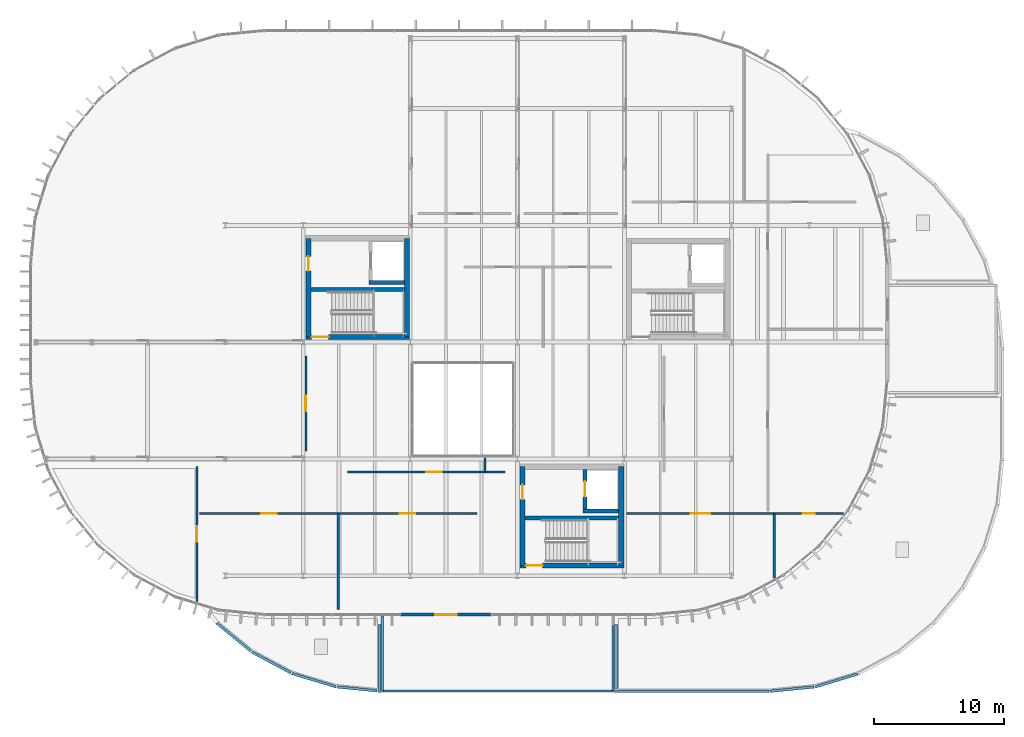
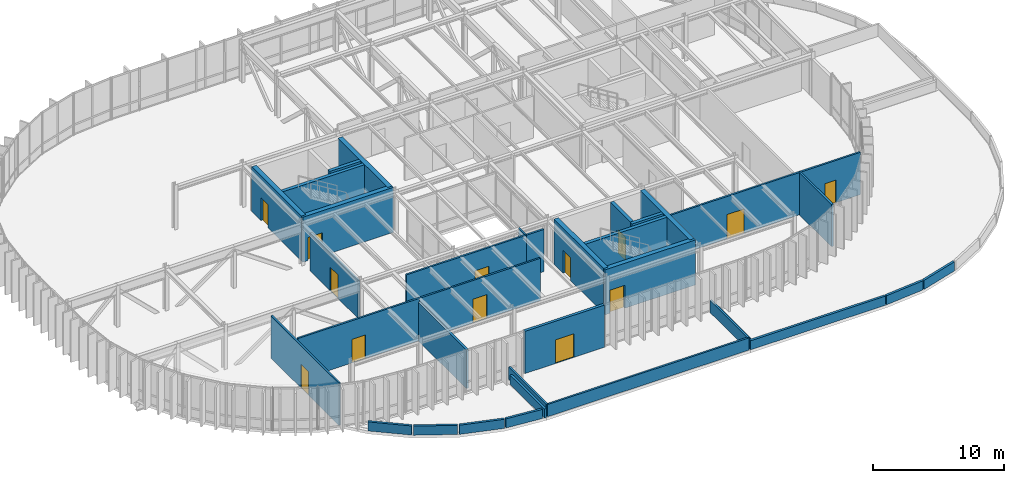
# One storey, part 22 of 29: 35 walls, 13 doors, 13 openings.
"""IFC4 building model written with IfcOpenShell, lengths in metres."""

from ifc_helpers import new_model, si_unit, direction, frame, frame_2d, origin, place, context, subcontext, project, spatial, rectangle, extrude, material, layer, layer_set, type_object, element, fill, save


model = new_model("IFC4")

# Units and contexts
model_context = context("Model", 3, precision=1e-05, world=origin(), true_north=direction((0.0, 1.0)))
body_context = subcontext(model_context, "Body", "Model", "MODEL_VIEW")
ifc_project = project(units=[si_unit("LENGTHUNIT", "METRE"), si_unit("AREAUNIT", "SQUARE_METRE"), si_unit("VOLUMEUNIT", "CUBIC_METRE"), si_unit("PLANEANGLEUNIT", "RADIAN"), si_unit("MASSUNIT", "GRAM", prefix="KILO")], contexts=[model_context])

# Site, building, storey
site_placement = place(None, origin())
site = spatial("IfcSite", under=ifc_project, at=site_placement, CompositionType="ELEMENT")
building_placement = place(site_placement, origin())
building = spatial("IfcBuilding", under=site, at=building_placement, Name="Montealbar Specialist Clinic", CompositionType="ELEMENT")
storey_placement = place(building_placement, frame((0.0, 0.0, 22.199951171875)))
storey = spatial("IfcBuildingStorey", under=building, at=storey_placement, Name="L05", CompositionType="ELEMENT", Elevation=22.199951171875)

# Walls
ifc_material_1 = material(Name="Concrete C35/45", Category="concrete")
ifc_layer_1 = layer(ifc_material_1, 0.300048828125, Name="Concrete C35/45", Category="concrete")
ifc_layer_set_1 = layer_set([ifc_layer_1], Name="Concrete C35/45")
wall_type_1 = type_object("IfcWallType", Name="WL-CORE-300", PredefinedType="SHEAR", material=ifc_layer_set_1)
wall_1_placement = place(storey_placement, frame((66.60009765625, 31.050048828125, 0.0), z_axis=(0.0, 0.0, 1.0), x_axis=(1.0, 0.0, 0.0)))
element("IfcWall", 1, at=wall_1_placement, inside=storey, type_object=wall_type_1, Name="Core C3 Stairwell Wall L05", PredefinedType="SHEAR", context=body_context, shape_type="SweptSolid", body=[
    extrude(rectangle(XDim=7.199951171875, YDim=0.300048828125, at=frame_2d((3.60009765625, 0.0))), origin(), (0.0, 0.0, 1.0), 4.199951171875),
])
wall_2_placement = place(storey_placement, frame((71.050048828125, 31.60009765625, 0.0), z_axis=(0.0, 0.0, 1.0), x_axis=(1.0, 0.0, 0.0)))
element("IfcWall", 2, at=wall_2_placement, inside=storey, type_object=wall_type_1, Name="Lift FL-01 Shaft Wall L05 LS", PredefinedType="SHEAR", context=body_context, shape_type="SweptSolid", body=[
    extrude(rectangle(XDim=2.75, YDim=0.300048828125, at=frame_2d((1.375, 0.0))), origin(), (0.0, 0.0, 1.0), 4.199951171875),
])
wall_3_placement = place(storey_placement, frame((83.10009765625, 13.449951171875, 0.0), z_axis=(0.0, 0.0, 1.0), x_axis=(1.0, 0.0, 0.0)))
element("IfcWall", 3, at=wall_3_placement, inside=storey, type_object=wall_type_1, Name="Core C4 Stairwell Wall L05", PredefinedType="SHEAR", context=body_context, shape_type="SweptSolid", body=[
    extrude(rectangle(XDim=7.199951171875, YDim=0.300048828125, at=frame_2d((3.60009765625, 0.0))), origin(), (0.0, 0.0, 1.0), 4.199951171875),
])
wall_4_placement = place(storey_placement, frame((87.550048828125, 14.0, 0.0), z_axis=(0.0, 0.0, 1.0), x_axis=(1.0, 0.0, 0.0)))
element("IfcWall", 4, at=wall_4_placement, inside=storey, type_object=wall_type_1, Name="Lift FL-02 Shaft Wall L05 LS", PredefinedType="SHEAR", context=body_context, shape_type="SweptSolid", body=[
    extrude(rectangle(XDim=2.75, YDim=0.300048828125, at=frame_2d((1.375, 0.0))), origin(), (0.0, 0.0, 1.0), 4.199951171875),
])

# Wall, opening, door
wall_5_placement = place(storey_placement, frame((87.699951171875, 14.14990234375, 0.0), z_axis=(0.0, 0.0, 1.0), x_axis=(0.0, 1.0, 0.0)))
wall_5 = element("IfcWall", 5, at=wall_5_placement, inside=storey, type_object=wall_type_1, Name="Lift FL-02 Shaft Wall L05 LW", PredefinedType="SHEAR", context=body_context, shape_type="SweptSolid", body=[
    extrude(rectangle(XDim=3.050048828125, YDim=0.300048828125, at=frame_2d((1.52490234375, 0.0))), origin(), (0.0, 0.0, 1.0), 4.199951171875),
])
opening_1_placement = place(wall_5_placement, frame((0.925048828125, 0.0, 0.0)))
opening_1 = element("IfcOpeningElement", 6, at=opening_1_placement, cuts=wall_5, Name="Opening LD-12", PredefinedType="OPENING", context=body_context, shape_type="SweptSolid", body=[
    extrude(rectangle(XDim=1.199951171875, YDim=2.14990234375, at=frame_2d((0.60009765625, 1.074951171875))), frame((0.0, 0.159912109375, 0.0), z_axis=(0.0, -1.0, 0.0), x_axis=(1.0, 0.0, 0.0)), (0.0, 0.0, 1.0), 0.320068359375),
])
ifc_material_2 = material(Name="Steel S355", Category="steel")
door_type_1 = type_object("IfcDoorType", Name="DR-LIFT-LD1200", OperationType="DOUBLE_DOOR_SLIDING", PredefinedType="DOOR", material=ifc_material_2)
door_1_placement = place(opening_1_placement, origin())
door_1 = element("IfcDoor", 7, at=door_1_placement, inside=storey, type_object=door_type_1, Name="Lift FL-02 Sliding Landing Door L05", OperationType="DOUBLE_DOOR_SLIDING", OverallHeight=2.14990234375, OverallWidth=1.199951171875, PredefinedType="DOOR", context=body_context, shape_type="SweptSolid", body=[
    extrude(rectangle(XDim=1.199951171875, YDim=2.14990234375, at=frame_2d((0.60009765625, 1.074951171875))), frame((0.0, 0.02490234375, 0.0), z_axis=(0.0, -1.0, 0.0), x_axis=(1.0, 0.0, 0.0)), (0.0, 0.0, 1.0), 0.050048828125),
])
fill(opening_1, door_1)

ifc_layer_2 = layer(ifc_material_1, 0.39990234375, Name="Concrete C35/45", Category="concrete")
ifc_layer_set_2 = layer_set([ifc_layer_2], Name="Concrete C35/45")
wall_type_2 = type_object("IfcWallType", Name="WL-CORE-400", PredefinedType="SHEAR", material=ifc_layer_set_2)
wall_6_placement = place(storey_placement, frame((66.199951171875, 27.39990234375, 0.0), z_axis=(0.0, 0.0, 1.0), x_axis=(1.0, 0.0, 0.0)))
wall_6 = element("IfcWall", 8, at=wall_6_placement, inside=storey, type_object=wall_type_2, Name="Core C3 Shear Wall L05 S", PredefinedType="SHEAR", context=body_context, shape_type="SweptSolid", body=[
    extrude(rectangle(XDim=8.0, YDim=0.39990234375, at=frame_2d((4.0, 0.0))), origin(), (0.0, 0.0, 1.0), 4.199951171875),
])
opening_2_placement = place(wall_6_placement, frame((0.449951171875, 0.0, 0.0)))
opening_2 = element("IfcOpeningElement", 9, at=opening_2_placement, cuts=wall_6, Name="Opening SD-13", PredefinedType="OPENING", context=body_context, shape_type="SweptSolid", body=[
    extrude(rectangle(XDim=1.300048828125, YDim=2.14990234375, at=frame_2d((0.64990234375, 1.074951171875))), frame((0.0, 0.2099609375, 0.0), z_axis=(0.0, -1.0, 0.0), x_axis=(1.0, 0.0, 0.0)), (0.0, 0.0, 1.0), 0.419921875),
])
door_type_2 = type_object("IfcDoorType", Name="DR-STAIR-W1300", OperationType="NOTDEFINED", PredefinedType="DOOR", material=ifc_material_2)
door_2_placement = place(opening_2_placement, frame((1.300048828125, 0.0, 0.0), z_axis=(0.0, 0.0, 1.0), x_axis=(-1.0, 0.0, 0.0)))
door_2 = element("IfcDoor", 10, at=door_2_placement, inside=storey, type_object=door_type_2, Name="Protected Core C3 Stair Fire Door L05", OperationType="SINGLE_SWING_RIGHT", OverallHeight=2.14990234375, OverallWidth=1.300048828125, PredefinedType="DOOR", context=body_context, shape_type="SweptSolid", body=[
    extrude(rectangle(XDim=1.300048828125, YDim=2.14990234375, at=frame_2d((0.64990234375, 1.074951171875))), frame((0.0, 0.02490234375, 0.0), z_axis=(0.0, -1.0, 0.0), x_axis=(1.0, 0.0, 0.0)), (0.0, 0.0, 1.0), 0.050048828125),
])
fill(opening_2, door_2)

wall_7_placement = place(storey_placement, frame((66.39990234375, 27.39990234375, 0.0), z_axis=(0.0, 0.0, 1.0), x_axis=(0.0, 1.0, 0.0)))
wall_7 = element("IfcWall", 11, at=wall_7_placement, inside=storey, type_object=wall_type_2, Name="Core C3 Shear Wall L05 W", PredefinedType="SHEAR", context=body_context, shape_type="SweptSolid", body=[
    extrude(rectangle(XDim=7.60009765625, YDim=0.39990234375, at=frame_2d((3.800048828125, 0.0))), origin(), (0.0, 0.0, 1.0), 4.199951171875),
])
opening_3_placement = place(wall_7_placement, frame((5.090087890625, 0.0, 0.0)))
opening_3 = element("IfcOpeningElement", 12, at=opening_3_placement, cuts=wall_7, Name="Opening FD-110", PredefinedType="OPENING", context=body_context, shape_type="SweptSolid", body=[
    extrude(rectangle(XDim=1.1201171875, YDim=2.14990234375, at=frame_2d((0.56005859375, 1.074951171875))), frame((0.0, 0.2099609375, 0.0), z_axis=(0.0, -1.0, 0.0), x_axis=(1.0, 0.0, 0.0)), (0.0, 0.0, 1.0), 0.419921875),
])
door_type_3 = type_object("IfcDoorType", Name="DR-FIRE-W1100", OperationType="NOTDEFINED", PredefinedType="DOOR", material=ifc_material_2)
door_3_placement = place(opening_3_placement, origin())
door_3 = element("IfcDoor", 13, at=door_3_placement, inside=storey, type_object=door_type_3, Name="Firefighting Lobby C3 Entrance Door L05", OperationType="SINGLE_SWING_RIGHT", OverallHeight=2.14990234375, OverallWidth=1.1201171875, PredefinedType="DOOR", context=body_context, shape_type="SweptSolid", body=[
    extrude(rectangle(XDim=1.1201171875, YDim=2.14990234375, at=frame_2d((0.56005859375, 1.074951171875))), frame((0.0, 0.02490234375, 0.0), z_axis=(0.0, -1.0, 0.0), x_axis=(1.0, 0.0, 0.0)), (0.0, 0.0, 1.0), 0.050048828125),
])
fill(opening_3, door_3)

# Wall
wall_8_placement = place(storey_placement, frame((74.0, 27.39990234375, 0.0), z_axis=(0.0, 0.0, 1.0), x_axis=(0.0, 1.0, 0.0)))
element("IfcWall", 14, at=wall_8_placement, inside=storey, type_object=wall_type_2, Name="Core C3 Shear Wall L05 E", PredefinedType="SHEAR", context=body_context, shape_type="SweptSolid", body=[
    extrude(rectangle(XDim=7.60009765625, YDim=0.39990234375, at=frame_2d((3.800048828125, 0.0))), origin(), (0.0, 0.0, 1.0), 4.199951171875),
])

# Wall, opening, door
wall_9_placement = place(storey_placement, frame((82.699951171875, 9.800048828125, 0.0), z_axis=(0.0, 0.0, 1.0), x_axis=(1.0, 0.0, 0.0)))
wall_9 = element("IfcWall", 15, at=wall_9_placement, inside=storey, type_object=wall_type_2, Name="Core C4 Shear Wall L05 S", PredefinedType="SHEAR", context=body_context, shape_type="SweptSolid", body=[
    extrude(rectangle(XDim=8.0, YDim=0.39990234375, at=frame_2d((4.0, 0.0))), origin(), (0.0, 0.0, 1.0), 4.199951171875),
])
opening_4_placement = place(wall_9_placement, frame((0.449951171875, 0.0, 0.0)))
opening_4 = element("IfcOpeningElement", 16, at=opening_4_placement, cuts=wall_9, Name="Opening SD-13", PredefinedType="OPENING", context=body_context, shape_type="SweptSolid", body=[
    extrude(rectangle(XDim=1.300048828125, YDim=2.14990234375, at=frame_2d((0.64990234375, 1.074951171875))), frame((0.0, 0.2099609375, 0.0), z_axis=(0.0, -1.0, 0.0), x_axis=(1.0, 0.0, 0.0)), (0.0, 0.0, 1.0), 0.419921875),
])
door_4_placement = place(opening_4_placement, frame((1.300048828125, 0.0, 0.0), z_axis=(0.0, 0.0, 1.0), x_axis=(-1.0, 0.0, 0.0)))
door_4 = element("IfcDoor", 17, at=door_4_placement, inside=storey, type_object=door_type_2, Name="Protected Core C4 Stair Fire Door L05", OperationType="SINGLE_SWING_RIGHT", OverallHeight=2.14990234375, OverallWidth=1.300048828125, PredefinedType="DOOR", context=body_context, shape_type="SweptSolid", body=[
    extrude(rectangle(XDim=1.300048828125, YDim=2.14990234375, at=frame_2d((0.64990234375, 1.074951171875))), frame((0.0, 0.02490234375, 0.0), z_axis=(0.0, -1.0, 0.0), x_axis=(1.0, 0.0, 0.0)), (0.0, 0.0, 1.0), 0.050048828125),
])
fill(opening_4, door_4)

wall_10_placement = place(storey_placement, frame((82.89990234375, 9.800048828125, 0.0), z_axis=(0.0, 0.0, 1.0), x_axis=(0.0, 1.0, 0.0)))
wall_10 = element("IfcWall", 18, at=wall_10_placement, inside=storey, type_object=wall_type_2, Name="Core C4 Shear Wall L05 W", PredefinedType="SHEAR", context=body_context, shape_type="SweptSolid", body=[
    extrude(rectangle(XDim=7.599853515625, YDim=0.39990234375, at=frame_2d((3.7998046875, 0.0))), origin(), (0.0, 0.0, 1.0), 4.199951171875),
])
opening_5_placement = place(wall_10_placement, frame((5.090087890625, 0.0, 0.0)))
opening_5 = element("IfcOpeningElement", 19, at=opening_5_placement, cuts=wall_10, Name="Opening FD-110", PredefinedType="OPENING", context=body_context, shape_type="SweptSolid", body=[
    extrude(rectangle(XDim=1.1201171875, YDim=2.14990234375, at=frame_2d((0.56005859375, 1.074951171875))), frame((0.0, 0.2099609375, 0.0), z_axis=(0.0, -1.0, 0.0), x_axis=(1.0, 0.0, 0.0)), (0.0, 0.0, 1.0), 0.419921875),
])
door_5_placement = place(opening_5_placement, origin())
door_5 = element("IfcDoor", 20, at=door_5_placement, inside=storey, type_object=door_type_3, Name="Firefighting Lobby C4 Entrance Door L05", OperationType="SINGLE_SWING_RIGHT", OverallHeight=2.14990234375, OverallWidth=1.1201171875, PredefinedType="DOOR", context=body_context, shape_type="SweptSolid", body=[
    extrude(rectangle(XDim=1.1201171875, YDim=2.14990234375, at=frame_2d((0.56005859375, 1.074951171875))), frame((0.0, 0.02490234375, 0.0), z_axis=(0.0, -1.0, 0.0), x_axis=(1.0, 0.0, 0.0)), (0.0, 0.0, 1.0), 0.050048828125),
])
fill(opening_5, door_5)

# Wall
wall_11_placement = place(storey_placement, frame((90.5, 9.800048828125, 0.0), z_axis=(0.0, 0.0, 1.0), x_axis=(0.0, 1.0, 0.0)))
element("IfcWall", 21, at=wall_11_placement, inside=storey, type_object=wall_type_2, Name="Core C4 Shear Wall L05 E", PredefinedType="SHEAR", context=body_context, shape_type="SweptSolid", body=[
    extrude(rectangle(XDim=7.599853515625, YDim=0.39990234375, at=frame_2d((3.7998046875, 0.0))), origin(), (0.0, 0.0, 1.0), 4.199951171875),
])

# Wall, opening, door
ifc_material_3 = material(Name="Precast concrete C40/50", Category="concrete")
ifc_layer_3 = layer(ifc_material_3, 0.239990234375, Name="Precast concrete C40/50", Category="concrete")
ifc_layer_set_3 = layer_set([ifc_layer_3], Name="Precast concrete C40/50")
wall_type_3 = type_object("IfcWallType", Name="WL-EXT-CLINIC-240", PredefinedType="SOLIDWALL", material=ifc_layer_set_3)
wall_12_placement = place(storey_placement, frame((80.5, 6.0, 0.0), z_axis=(0.0, 0.0, 1.0), x_axis=(-1.0, 0.0, 0.0)))
wall_12 = element("IfcWall", 22, at=wall_12_placement, inside=storey, type_object=wall_type_3, Name="Exterior Facade Wall EW-L05-066", PredefinedType="SOLIDWALL", context=body_context, shape_type="SweptSolid", body=[
    extrude(rectangle(XDim=7.0, YDim=0.239990234375, at=frame_2d((3.5, 0.0))), origin(), (0.0, 0.0, 1.0), 3.93994140625),
])
opening_6_placement = place(wall_12_placement, frame((2.675048828125, 0.0, 0.0)))
opening_6 = element("IfcOpeningElement", 23, at=opening_6_placement, cuts=wall_12, Name="Opening TD-16", PredefinedType="OPENING", context=body_context, shape_type="SweptSolid", body=[
    extrude(rectangle(XDim=1.64990234375, YDim=2.199951171875, at=frame_2d((0.824951171875, 1.10009765625))), frame((0.0, 0.1298828125, 0.0), z_axis=(0.0, -1.0, 0.0), x_axis=(1.0, 0.0, 0.0)), (0.0, 0.0, 1.0), 0.260009765625),
])
ifc_material_4 = material(Name="Powder-coated aluminium", Category="aluminium")
door_type_4 = type_object("IfcDoorType", Name="DR-TERR-W1650", OperationType="DOUBLE_DOOR_SINGLE_SWING", PredefinedType="DOOR", material=ifc_material_4)
door_6_placement = place(opening_6_placement, origin())
door_6 = element("IfcDoor", 24, at=door_6_placement, inside=storey, type_object=door_type_4, Name="South Sun Terrace Lounge Door L05", OperationType="DOUBLE_DOOR_SINGLE_SWING", OverallHeight=2.199951171875, OverallWidth=1.64990234375, PredefinedType="DOOR", context=body_context, shape_type="SweptSolid", body=[
    extrude(rectangle(XDim=1.64990234375, YDim=2.199951171875, at=frame_2d((0.824951171875, 1.10009765625))), frame((0.0, 0.02490234375, 0.0), z_axis=(0.0, -1.0, 0.0), x_axis=(1.0, 0.0, 0.0)), (0.0, 0.0, 1.0), 0.050048828125),
])
fill(opening_6, door_6)

# Walls
ifc_material_5 = material(Name="Guadarrama granite ashlar", Category="masonry")
ifc_layer_4 = layer(ifc_material_5, 0.159912109375, Name="Guadarrama granite ashlar", Category="masonry")
ifc_layer_set_4 = layer_set([ifc_layer_4], Name="Guadarrama granite ashlar")
wall_type_4 = type_object("IfcWallType", Name="WL-PARAPET-160", PredefinedType="PARAPET", material=ifc_layer_set_4)
wall_13_placement = place(storey_placement, frame((72.1201171875, 0.1201171875, 0.0), z_axis=(0.0, 0.0, 1.0), x_axis=(1.0, 0.0, 0.0)))
element("IfcWall", 25, at=wall_13_placement, inside=storey, type_object=wall_type_4, Name="Terrace Separation Parapet TERR-L05-SOUTH-S", PredefinedType="PARAPET", context=body_context, shape_type="SweptSolid", body=[
    extrude(rectangle(XDim=17.759765625, YDim=0.159912109375, at=frame_2d((8.8798828125, 0.0))), origin(), (0.0, 0.0, 1.0), 1.14013671875),
])
for number, where, z_axis, x_axis, name in (
    (26, (72.1201171875, 0.1201171875, 0.0), (0.0, 0.0, 1.0), (0.0, 1.0, 0.0), "Terrace Separation Parapet TERR-L05-SOUTH-W"),
    (27, (89.8798828125, 0.1201171875, 0.0), (0.0, 0.0, 1.0), (0.0, 1.0, 0.0), "Terrace Separation Parapet TERR-L05-SOUTH-E"),
):
    element("IfcWall", number, at=place(storey_placement, frame(where, z_axis=z_axis, x_axis=x_axis)), inside=storey, type_object=wall_type_4, Name=name, PredefinedType="PARAPET", context=body_context, shape_type="SweptSolid", body=[
        extrude(rectangle(XDim=5.759765625, YDim=0.159912109375, at=frame_2d((2.8798828125, 0.0))), origin(), (0.0, 0.0, 1.0), 1.14013671875),
    ])
ifc_layer_5 = layer(ifc_material_3, 0.199951171875, Name="Precast concrete C40/50", Category="concrete")
ifc_layer_set_5 = layer_set([ifc_layer_5], Name="Precast concrete C40/50")
wall_type_5 = type_object("IfcWallType", Name="WL-PARAPET-200", PredefinedType="PARAPET", material=ifc_layer_set_5)
wall_14_placement = place(storey_placement, frame((108.72802734375, 1.426025390625, 0.0), z_axis=(0.0, 0.0, 1.0), x_axis=(-0.956962014602, -0.290213201991, 0.0)))
element("IfcWall", 28, at=wall_14_placement, inside=storey, type_object=wall_type_5, Name="Roof Parapet L05-057", PredefinedType="PARAPET", context=body_context, shape_type="SweptSolid", body=[
    extrude(rectangle(XDim=3.39111328125, YDim=0.199951171875, at=frame_2d((1.695556640625, 0.0))), origin(), (0.0, 0.0, 1.0), 0.85009765625),
])
wall_15_placement = place(storey_placement, frame((105.365966796875, 0.43310546875, 0.0), z_axis=(0.0, 0.0, 1.0), x_axis=(-0.995170248272, -0.098164030854, 0.0)))
element("IfcWall", 29, at=wall_15_placement, inside=storey, type_object=wall_type_5, Name="Roof Parapet L05-058", PredefinedType="PARAPET", context=body_context, shape_type="SweptSolid", body=[
    extrude(rectangle(XDim=3.392333984375, YDim=0.199951171875, at=frame_2d((1.6962890625, 0.0))), origin(), (0.0, 0.0, 1.0), 0.85009765625),
])
wall_16_placement = place(storey_placement, frame((101.8740234375, 0.10009765625, 0.0), z_axis=(0.0, 0.0, 1.0), x_axis=(-1.0, 0.0, 0.0)))
element("IfcWall", 30, at=wall_16_placement, inside=storey, type_object=wall_type_5, Name="Roof Parapet L05-059", PredefinedType="PARAPET", context=body_context, shape_type="SweptSolid", body=[
    extrude(rectangle(XDim=11.8740234375, YDim=0.199951171875, at=frame_2d((5.93701171875, 0.0))), origin(), (0.0, 0.0, 1.0), 0.85009765625),
])
wall_17_placement = place(storey_placement, frame((90.10009765625, 0.31494140625, 0.0), z_axis=(0.0, 0.0, 1.0), x_axis=(0.0, 1.0, 0.0)))
element("IfcWall", 31, at=wall_17_placement, inside=storey, type_object=wall_type_5, Name="Roof Parapet L05-060", PredefinedType="PARAPET", context=body_context, shape_type="SweptSolid", body=[
    extrude(rectangle(XDim=4.93505859375, YDim=0.199951171875, at=frame_2d((2.467529296875, 0.0))), origin(), (0.0, 0.0, 1.0), 0.85009765625),
])
wall_18_placement = place(storey_placement, frame((68.51708984375, 0.44189453125, 0.0), z_axis=(0.0, 0.0, 1.0), x_axis=(-0.956934144423, 0.290305086481, 0.0)))
element("IfcWall", 32, at=wall_18_placement, inside=storey, type_object=wall_type_5, Name="Roof Parapet L05-069", PredefinedType="PARAPET", context=body_context, shape_type="SweptSolid", body=[
    extrude(rectangle(XDim=3.52783203125, YDim=0.199951171875, at=frame_2d((1.763916015625, 0.0))), origin(), (0.0, 0.0, 1.0), 0.85009765625),
])
for number, where, z_axis, x_axis, name in (
    (33, (65.0380859375, 1.52294921875, 0.0), (0.0, 0.0, 1.0), (-0.881870262983, 0.471492141257, 0.0), "Roof Parapet L05-070"),
    (34, (61.95703125, 3.197998046875, 0.0), (0.0, 0.0, 1.0), (-0.773119529385, 0.634260351342, 0.0), "Roof Parapet L05-071"),
):
    element("IfcWall", number, at=place(storey_placement, frame(where, z_axis=z_axis, x_axis=x_axis)), inside=storey, type_object=wall_type_5, Name=name, PredefinedType="PARAPET", context=body_context, shape_type="SweptSolid", body=[
        extrude(rectangle(XDim=3.3916015625, YDim=0.199951171875, at=frame_2d((1.69580078125, 0.0))), origin(), (0.0, 0.0, 1.0), 0.85009765625),
    ])
wall_19_placement = place(storey_placement, frame((71.89990234375, 5.25, 0.0), z_axis=(0.0, 0.0, 1.0), x_axis=(0.0, -1.0, 0.0)))
element("IfcWall", 35, at=wall_19_placement, inside=storey, type_object=wall_type_5, Name="Roof Parapet L05-072", PredefinedType="PARAPET", context=body_context, shape_type="SweptSolid", body=[
    extrude(rectangle(XDim=5.25, YDim=0.199951171875, at=frame_2d((2.625, 0.0))), origin(), (0.0, 0.0, 1.0), 0.85009765625),
])
wall_20_placement = place(storey_placement, frame((71.68505859375, 0.132080078125, 0.0), z_axis=(0.0, 0.0, 1.0), x_axis=(-0.995167988705, 0.09818693527, 0.0)))
element("IfcWall", 36, at=wall_20_placement, inside=storey, type_object=wall_type_5, Name="Roof Parapet L05-073", PredefinedType="PARAPET", context=body_context, shape_type="SweptSolid", body=[
    extrude(rectangle(XDim=3.06591796875, YDim=0.199951171875, at=frame_2d((1.532958984375, 0.0))), origin(), (0.0, 0.0, 1.0), 0.85009765625),
])
ifc_material_6 = material(Name="Gypsum acoustic partition", Category="gypsum")
ifc_layer_6 = layer(ifc_material_6, 0.139892578125, Name="Gypsum acoustic partition", Category="gypsum")
ifc_layer_set_6 = layer_set([ifc_layer_6], Name="Gypsum acoustic partition")
wall_type_6 = type_object("IfcWallType", Name="WL-PART-ACOUSTIC-140", PredefinedType="PARTITIONING", material=ifc_layer_set_6)
wall_21_placement = place(storey_placement, frame((80.0, 17.0, 0.0), z_axis=(0.0, 0.0, 1.0), x_axis=(0.0, 1.0, 0.0)))
element("IfcWall", 37, at=wall_21_placement, inside=storey, type_object=wall_type_6, Name="Clinical Partition PART-L05-0277", PredefinedType="PARTITIONING", context=body_context, shape_type="SweptSolid", body=[
    extrude(rectangle(XDim=1.06005859375, YDim=0.139892578125, at=frame_2d((0.530029296875, 0.0))), origin(), (0.0, 0.0, 1.0), 3.93994140625),
])
ifc_layer_7 = layer(ifc_material_6, 0.179931640625, Name="Gypsum acoustic partition", Category="gypsum")
ifc_layer_set_7 = layer_set([ifc_layer_7], Name="Gypsum acoustic partition")
wall_type_7 = type_object("IfcWallType", Name="WL-PART-CLEAN-180", PredefinedType="PARTITIONING", material=ifc_layer_set_7)
wall_22_placement = place(storey_placement, frame((68.699951171875, 6.39990234375, 0.0), z_axis=(0.0, 0.0, 1.0), x_axis=(0.0, 1.0, 0.0)))
element("IfcWall", 38, at=wall_22_placement, inside=storey, type_object=wall_type_7, Name="Clinical Partition PART-L05-0224", PredefinedType="PARTITIONING", context=body_context, shape_type="SweptSolid", body=[
    extrude(rectangle(XDim=7.400146484375, YDim=0.179931640625, at=frame_2d((3.7001953125, 0.0))), origin(), (0.0, 0.0, 1.0), 3.6201171875),
])
wall_23_placement = place(storey_placement, frame((102.300048828125, 8.818115234375, 0.0), z_axis=(0.0, 0.0, 1.0), x_axis=(0.0, 1.0, 0.0)))
element("IfcWall", 39, at=wall_23_placement, inside=storey, type_object=wall_type_7, Name="Clinical Partition PART-L05-0227", PredefinedType="PARTITIONING", context=body_context, shape_type="SweptSolid", body=[
    extrude(rectangle(XDim=4.98193359375, YDim=0.179931640625, at=frame_2d((2.490966796875, 0.0))), origin(), (0.0, 0.0, 1.0), 3.93994140625),
])

# Wall, opening, door
ifc_layer_8 = layer(ifc_material_6, 0.159912109375, Name="Gypsum acoustic partition", Category="gypsum")
ifc_layer_set_8 = layer_set([ifc_layer_8], Name="Gypsum acoustic partition")
wall_type_8 = type_object("IfcWallType", Name="WL-PART-CLINIC-160", PredefinedType="PARTITIONING", material=ifc_layer_set_8)
wall_24_placement = place(storey_placement, frame((57.800048828125, 7.00390625, 0.0), z_axis=(0.0, 0.0, 1.0), x_axis=(0.0, 1.0, 0.0)))
wall_24 = element("IfcWall", 40, at=wall_24_placement, inside=storey, type_object=wall_type_8, Name="Clinical Partition PART-L05-0222", PredefinedType="PARTITIONING", context=body_context, shape_type="SweptSolid", body=[
    extrude(rectangle(XDim=10.39599609375, YDim=0.159912109375, at=frame_2d((5.197998046875, 0.0))), origin(), (0.0, 0.0, 1.0), 3.93994140625),
])
opening_7_placement = place(wall_24_placement, frame((4.597900390625, 0.0, 0.0)))
opening_7 = element("IfcOpeningElement", 41, at=opening_7_placement, cuts=wall_24, Name="Opening ID-120", PredefinedType="OPENING", context=body_context, shape_type="SweptSolid", body=[
    extrude(rectangle(XDim=1.199951171875, YDim=2.199951171875, at=frame_2d((0.60009765625, 1.10009765625))), frame((0.0, 0.08984375, 0.0), z_axis=(0.0, -1.0, 0.0), x_axis=(1.0, 0.0, 0.0)), (0.0, 0.0, 1.0), 0.179931640625),
])
ifc_material_7 = material(Name="Acoustic timber leaf", Category="wood")
door_type_5 = type_object("IfcDoorType", Name="DR-CLIN-W1200", OperationType="NOTDEFINED", PredefinedType="DOOR", material=ifc_material_7)
door_7_placement = place(opening_7_placement, frame((1.199951171875, 0.0, 0.0), z_axis=(0.0, 0.0, 1.0), x_axis=(-1.0, 0.0, 0.0)))
door_7 = element("IfcDoor", 42, at=door_7_placement, inside=storey, type_object=door_type_5, Name="Clinical Room Door IDR-L05-0141", OperationType="SINGLE_SWING_LEFT", OverallHeight=2.199951171875, OverallWidth=1.199951171875, PredefinedType="DOOR", context=body_context, shape_type="SweptSolid", body=[
    extrude(rectangle(XDim=1.199951171875, YDim=2.199951171875, at=frame_2d((0.60009765625, 1.10009765625))), frame((0.0, 0.02490234375, 0.0), z_axis=(0.0, -1.0, 0.0), x_axis=(1.0, 0.0, 0.0)), (0.0, 0.0, 1.0), 0.050048828125),
])
fill(opening_7, door_7)

wall_25_placement = place(storey_placement, frame((58.0, 13.800048828125, 0.0), z_axis=(0.0, 0.0, 1.0), x_axis=(1.0, 0.0, 0.0)))
wall_25 = element("IfcWall", 43, at=wall_25_placement, inside=storey, type_object=wall_type_8, Name="Clinical Partition PART-L05-0223", PredefinedType="PARTITIONING", context=body_context, shape_type="SweptSolid", body=[
    extrude(rectangle(XDim=10.699951171875, YDim=0.159912109375, at=frame_2d((5.35009765625, 0.0))), origin(), (0.0, 0.0, 1.0), 3.93994140625),
])
opening_8_placement = place(wall_25_placement, frame((4.75, 0.0, 0.0)))
opening_8 = element("IfcOpeningElement", 44, at=opening_8_placement, cuts=wall_25, Name="Opening ID-120", PredefinedType="OPENING", context=body_context, shape_type="SweptSolid", body=[
    extrude(rectangle(XDim=1.199951171875, YDim=2.199951171875, at=frame_2d((0.60009765625, 1.10009765625))), frame((0.0, 0.08984375, 0.0), z_axis=(0.0, -1.0, 0.0), x_axis=(1.0, 0.0, 0.0)), (0.0, 0.0, 1.0), 0.179931640625),
])
door_8_placement = place(opening_8_placement, origin())
door_8 = element("IfcDoor", 45, at=door_8_placement, inside=storey, type_object=door_type_5, Name="Clinical Room Door IDR-L05-0142", OperationType="SINGLE_SWING_RIGHT", OverallHeight=2.199951171875, OverallWidth=1.199951171875, PredefinedType="DOOR", context=body_context, shape_type="SweptSolid", body=[
    extrude(rectangle(XDim=1.199951171875, YDim=2.199951171875, at=frame_2d((0.60009765625, 1.10009765625))), frame((0.0, 0.02490234375, 0.0), z_axis=(0.0, -1.0, 0.0), x_axis=(1.0, 0.0, 0.0)), (0.0, 0.0, 1.0), 0.050048828125),
])
fill(opening_8, door_8)

wall_26_placement = place(storey_placement, frame((68.699951171875, 13.800048828125, 0.0), z_axis=(0.0, 0.0, 1.0), x_axis=(1.0, 0.0, 0.0)))
wall_26 = element("IfcWall", 46, at=wall_26_placement, inside=storey, type_object=wall_type_8, Name="Clinical Partition PART-L05-0225", PredefinedType="PARTITIONING", context=body_context, shape_type="SweptSolid", body=[
    extrude(rectangle(XDim=10.699951171875, YDim=0.159912109375, at=frame_2d((5.35009765625, 0.0))), origin(), (0.0, 0.0, 1.0), 3.93994140625),
])
opening_9_placement = place(wall_26_placement, frame((4.75, 0.0, 0.0)))
opening_9 = element("IfcOpeningElement", 47, at=opening_9_placement, cuts=wall_26, Name="Opening ID-120", PredefinedType="OPENING", context=body_context, shape_type="SweptSolid", body=[
    extrude(rectangle(XDim=1.199951171875, YDim=2.199951171875, at=frame_2d((0.60009765625, 1.10009765625))), frame((0.0, 0.08984375, 0.0), z_axis=(0.0, -1.0, 0.0), x_axis=(1.0, 0.0, 0.0)), (0.0, 0.0, 1.0), 0.179931640625),
])
door_9_placement = place(opening_9_placement, origin())
door_9 = element("IfcDoor", 48, at=door_9_placement, inside=storey, type_object=door_type_5, Name="Clinical Room Door IDR-L05-0143", OperationType="SINGLE_SWING_LEFT", OverallHeight=2.199951171875, OverallWidth=1.199951171875, PredefinedType="DOOR", context=body_context, shape_type="SweptSolid", body=[
    extrude(rectangle(XDim=1.199951171875, YDim=2.199951171875, at=frame_2d((0.60009765625, 1.10009765625))), frame((0.0, 0.02490234375, 0.0), z_axis=(0.0, -1.0, 0.0), x_axis=(1.0, 0.0, 0.0)), (0.0, 0.0, 1.0), 0.050048828125),
])
fill(opening_9, door_9)

wall_27_placement = place(storey_placement, frame((90.89990234375, 13.800048828125, 0.0), z_axis=(0.0, 0.0, 1.0), x_axis=(1.0, 0.0, 0.0)))
wall_27 = element("IfcWall", 49, at=wall_27_placement, inside=storey, type_object=wall_type_8, Name="Clinical Partition PART-L05-0226", PredefinedType="PARTITIONING", context=body_context, shape_type="SweptSolid", body=[
    extrude(rectangle(XDim=11.400146484375, YDim=0.159912109375, at=frame_2d((5.7001953125, 0.0))), origin(), (0.0, 0.0, 1.0), 3.93994140625),
])
opening_10_placement = place(wall_27_placement, frame((4.949951171875, 0.0, 0.0)))
opening_10 = element("IfcOpeningElement", 50, at=opening_10_placement, cuts=wall_27, Name="Opening ID-150", PredefinedType="OPENING", context=body_context, shape_type="SweptSolid", body=[
    extrude(rectangle(XDim=1.5, YDim=2.25, at=frame_2d((0.75, 1.125))), frame((0.0, 0.08984375, 0.0), z_axis=(0.0, -1.0, 0.0), x_axis=(1.0, 0.0, 0.0)), (0.0, 0.0, 1.0), 0.179931640625),
])
door_type_6 = type_object("IfcDoorType", Name="DR-OR-W1500", OperationType="SLIDING_TO_LEFT", PredefinedType="DOOR", material=ifc_material_7)
door_10_placement = place(opening_10_placement, origin())
door_10 = element("IfcDoor", 51, at=door_10_placement, inside=storey, type_object=door_type_6, Name="Clinical Room Door IDR-L05-0144", OperationType="SLIDING_TO_LEFT", OverallHeight=2.25, OverallWidth=1.5, PredefinedType="DOOR", context=body_context, shape_type="SweptSolid", body=[
    extrude(rectangle(XDim=1.5, YDim=2.25, at=frame_2d((0.75, 1.125))), frame((0.0, 0.02490234375, 0.0), z_axis=(0.0, -1.0, 0.0), x_axis=(1.0, 0.0, 0.0)), (0.0, 0.0, 1.0), 0.050048828125),
])
fill(opening_10, door_10)

wall_28_placement = place(storey_placement, frame((102.300048828125, 13.800048828125, 0.0), z_axis=(0.0, 0.0, 1.0), x_axis=(1.0, 0.0, 0.0)))
wall_28 = element("IfcWall", 52, at=wall_28_placement, inside=storey, type_object=wall_type_8, Name="Clinical Partition PART-L05-0228", PredefinedType="PARTITIONING", context=body_context, shape_type="SweptSolid", body=[
    extrude(rectangle(XDim=5.321044921875, YDim=0.159912109375, at=frame_2d((2.66064453125, 0.0))), origin(), (0.0, 0.0, 1.0), 3.93994140625),
])
opening_11_placement = place(wall_28_placement, frame((2.18505859375, 0.0, 0.0)))
opening_11 = element("IfcOpeningElement", 53, at=opening_11_placement, cuts=wall_28, Name="Opening ID-095", PredefinedType="OPENING", context=body_context, shape_type="SweptSolid", body=[
    extrude(rectangle(XDim=0.949951171875, YDim=2.10009765625, at=frame_2d((0.47509765625, 1.050048828125))), frame((0.0, 0.08984375, 0.0), z_axis=(0.0, -1.0, 0.0), x_axis=(1.0, 0.0, 0.0)), (0.0, 0.0, 1.0), 0.179931640625),
])
door_type_7 = type_object("IfcDoorType", Name="DR-WC-W0950", OperationType="NOTDEFINED", PredefinedType="DOOR", material=ifc_material_7)
door_11_placement = place(opening_11_placement, origin())
door_11 = element("IfcDoor", 54, at=door_11_placement, inside=storey, type_object=door_type_7, Name="Clinical Room Door IDR-L05-0145", OperationType="SINGLE_SWING_RIGHT", OverallHeight=2.10009765625, OverallWidth=0.949951171875, PredefinedType="DOOR", context=body_context, shape_type="SweptSolid", body=[
    extrude(rectangle(XDim=0.949951171875, YDim=2.10009765625, at=frame_2d((0.47509765625, 1.050048828125))), frame((0.0, 0.02490234375, 0.0), z_axis=(0.0, -1.0, 0.0), x_axis=(1.0, 0.0, 0.0)), (0.0, 0.0, 1.0), 0.050048828125),
])
fill(opening_11, door_11)

wall_29_placement = place(storey_placement, frame((66.199951171875, 18.60009765625, 0.0), z_axis=(0.0, 0.0, 1.0), x_axis=(0.0, 1.0, 0.0)))
wall_29 = element("IfcWall", 55, at=wall_29_placement, inside=storey, type_object=wall_type_8, Name="Clinical Partition PART-L05-0232", PredefinedType="PARTITIONING", context=body_context, shape_type="SweptSolid", body=[
    extrude(rectangle(XDim=7.349853515625, YDim=0.159912109375, at=frame_2d((3.6748046875, 0.0))), origin(), (0.0, 0.0, 1.0), 3.5400390625),
])
opening_12_placement = place(wall_29_placement, frame((3.074951171875, 0.0, 0.0)))
opening_12 = element("IfcOpeningElement", 56, at=opening_12_placement, cuts=wall_29, Name="Opening ID-120", PredefinedType="OPENING", context=body_context, shape_type="SweptSolid", body=[
    extrude(rectangle(XDim=1.199951171875, YDim=2.199951171875, at=frame_2d((0.60009765625, 1.10009765625))), frame((0.0, 0.08984375, 0.0), z_axis=(0.0, -1.0, 0.0), x_axis=(1.0, 0.0, 0.0)), (0.0, 0.0, 1.0), 0.179931640625),
])
door_12_placement = place(opening_12_placement, frame((1.199951171875, 0.0, 0.0), z_axis=(0.0, 0.0, 1.0), x_axis=(-1.0, 0.0, 0.0)))
door_12 = element("IfcDoor", 57, at=door_12_placement, inside=storey, type_object=door_type_5, Name="Clinical Room Door IDR-L05-0148", OperationType="SINGLE_SWING_LEFT", OverallHeight=2.199951171875, OverallWidth=1.199951171875, PredefinedType="DOOR", context=body_context, shape_type="SweptSolid", body=[
    extrude(rectangle(XDim=1.199951171875, YDim=2.199951171875, at=frame_2d((0.60009765625, 1.10009765625))), frame((0.0, 0.02490234375, 0.0), z_axis=(0.0, -1.0, 0.0), x_axis=(1.0, 0.0, 0.0)), (0.0, 0.0, 1.0), 0.050048828125),
])
fill(opening_12, door_12)

wall_30_placement = place(storey_placement, frame((69.39990234375, 17.0, 0.0), z_axis=(0.0, 0.0, 1.0), x_axis=(1.0, 0.0, 0.0)))
wall_30 = element("IfcWall", 58, at=wall_30_placement, inside=storey, type_object=wall_type_8, Name="Clinical Partition PART-L05-0276", PredefinedType="PARTITIONING", context=body_context, shape_type="SweptSolid", body=[
    extrude(rectangle(XDim=10.60009765625, YDim=0.159912109375, at=frame_2d((5.300048828125, 0.0))), origin(), (0.0, 0.0, 1.0), 3.93994140625),
])
opening_13_placement = place(wall_30_placement, frame((6.075927734375, 0.0, 0.0)))
opening_13 = element("IfcOpeningElement", 59, at=opening_13_placement, cuts=wall_30, Name="Opening ID-120", PredefinedType="OPENING", context=body_context, shape_type="SweptSolid", body=[
    extrude(rectangle(XDim=1.199951171875, YDim=2.199951171875, at=frame_2d((0.60009765625, 1.10009765625))), frame((0.0, 0.08984375, 0.0), z_axis=(0.0, -1.0, 0.0), x_axis=(1.0, 0.0, 0.0)), (0.0, 0.0, 1.0), 0.179931640625),
])
door_13_placement = place(opening_13_placement, frame((1.199951171875, 0.0, 0.0), z_axis=(0.0, 0.0, 1.0), x_axis=(-1.0, 0.0, 0.0)))
door_13 = element("IfcDoor", 60, at=door_13_placement, inside=storey, type_object=door_type_5, Name="Clinical Room Door IDR-L05-0180", OperationType="SINGLE_SWING_LEFT", OverallHeight=2.199951171875, OverallWidth=1.199951171875, PredefinedType="DOOR", context=body_context, shape_type="SweptSolid", body=[
    extrude(rectangle(XDim=1.199951171875, YDim=2.199951171875, at=frame_2d((0.60009765625, 1.10009765625))), frame((0.0, 0.02490234375, 0.0), z_axis=(0.0, -1.0, 0.0), x_axis=(1.0, 0.0, 0.0)), (0.0, 0.0, 1.0), 0.050048828125),
])
fill(opening_13, door_13)

# Wall
wall_31_placement = place(storey_placement, frame((80.0, 17.0, 0.0), z_axis=(0.0, 0.0, 1.0), x_axis=(1.0, 0.0, 0.0)))
element("IfcWall", 61, at=wall_31_placement, inside=storey, type_object=wall_type_8, Name="Clinical Partition PART-L05-0278", PredefinedType="PARTITIONING", context=body_context, shape_type="SweptSolid", body=[
    extrude(rectangle(XDim=1.550048828125, YDim=0.159912109375, at=frame_2d((0.77490234375, 0.0))), origin(), (0.0, 0.0, 1.0), 3.93994140625),
])

save(model, "model.ifc")
